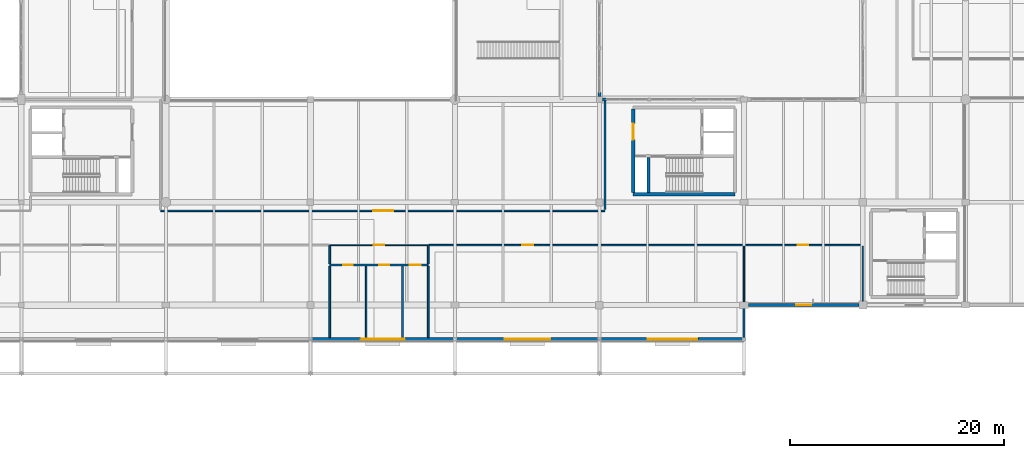
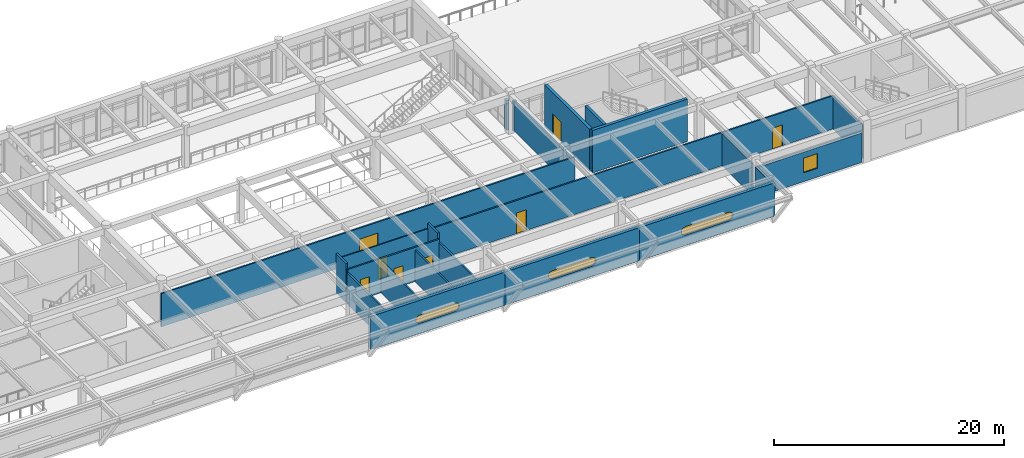
# One storey, part 90 of 109: 23 walls, 8 doors, 4 windows, 12 openings.
"""IFC4 building model written with IfcOpenShell, lengths in metres."""

from ifc_helpers import new_model, si_unit, direction, frame, frame_2d, origin, place, context, subcontext, project, spatial, polyline, rectangle, outline, extrude, material, layer, layer_set, type_object, element, fill, save


model = new_model("IFC4")

# Units and contexts
model_context = context("Model", 3, precision=1e-05, world=origin(), true_north=direction((0.0, 1.0)))
body_context = subcontext(model_context, "Body", "Model", "MODEL_VIEW")
ifc_project = project(units=[si_unit("LENGTHUNIT", "METRE"), si_unit("AREAUNIT", "SQUARE_METRE"), si_unit("VOLUMEUNIT", "CUBIC_METRE"), si_unit("PLANEANGLEUNIT", "RADIAN"), si_unit("MASSUNIT", "GRAM", prefix="KILO")], contexts=[model_context])

# Site, building, storey
site_placement = place(None, origin())
site = spatial("IfcSite", under=ifc_project, at=site_placement, CompositionType="ELEMENT")
building_placement = place(site_placement, origin())
building = spatial("IfcBuilding", under=site, at=building_placement, Name="Fikremerkos Civic Library", CompositionType="ELEMENT")
storey_placement = place(building_placement, frame((0.0, 0.0, 5.39990234375)))
storey = spatial("IfcBuildingStorey", under=building, at=storey_placement, Name="L01", CompositionType="ELEMENT", Elevation=5.39990234375)

# Wall
ifc_material_1 = material(Name="Concrete C40/50", Category="concrete")
ifc_layer_1 = layer(ifc_material_1, 0.300048828125, Name="Concrete C40/50")
ifc_layer_set_1 = layer_set([ifc_layer_1], Name="Concrete C40/50")
wall_type_1 = type_object("IfcWallType", Name="Core shear wall CSW-01 300", PredefinedType="SHEAR", material=ifc_layer_set_1)
wall_1_placement = place(storey_placement, frame((112.85009765625, 22.35009765625, 0.0), z_axis=(0.0, 0.0, 1.0), x_axis=(-1.0, 0.0, 0.0)))
element("IfcWall", 1, at=wall_1_placement, inside=storey, type_object=wall_type_1, Name="Core K2 south shear wall L01", PredefinedType="SHEAR", context=body_context, shape_type="SweptSolid", body=[
    extrude(rectangle(XDim=9.5, YDim=0.300048828125, at=frame_2d((4.75, 0.0))), origin(), (0.0, 0.0, 1.0), 4.5),
])

# Wall, opening, door
wall_2_placement = place(storey_placement, frame((103.35009765625, 22.501953125, 0.0), z_axis=(0.0, 0.0, 1.0), x_axis=(0.0, 1.0, 0.0)))
wall_2 = element("IfcWall", 2, at=wall_2_placement, inside=storey, type_object=wall_type_1, Name="Core K2 west shear wall L01", PredefinedType="SHEAR", context=body_context, shape_type="SweptSolid", body=[
    extrude(rectangle(XDim=7.796142578125, YDim=0.300048828125, at=frame_2d((3.89794921875, 0.0))), origin(), (0.0, 0.0, 1.0), 4.5),
])
opening_1_placement = place(wall_2_placement, frame((4.947998046875, 0.0, 0.0)))
opening_1 = element("IfcOpeningElement", 3, at=opening_1_placement, cuts=wall_2, Name="Opening D062", PredefinedType="OPENING", context=body_context, shape_type="SweptSolid", body=[
    extrude(rectangle(XDim=1.5, YDim=2.25, at=frame_2d((0.75, 1.125))), frame((0.0, 0.159912109375, 0.0), z_axis=(0.0, -1.0, 0.0), x_axis=(1.0, 0.0, 0.0)), (0.0, 0.0, 1.0), 0.320068359375),
])
ifc_material_2 = material(Name="Hardwood timber and acoustic glass", Category="wood")
door_type_1 = type_object("IfcDoorType", Name="Pedestrian door DT-05 1500x2250", OperationType="NOTDEFINED", PredefinedType="DOOR", material=ifc_material_2)
door_1_placement = place(opening_1_placement, origin())
door_1 = element("IfcDoor", 4, at=door_1_placement, inside=storey, type_object=door_type_1, Name="Core K2 lobby fire door D062 L01", OperationType="SINGLE_SWING_RIGHT", OverallHeight=2.25, OverallWidth=1.5, PredefinedType="DOOR", context=body_context, shape_type="SweptSolid", body=[
    extrude(rectangle(XDim=1.5, YDim=2.25, at=frame_2d((0.75, 1.125))), frame((0.0, 0.032470703125, 0.0), z_axis=(0.0, -1.0, 0.0), x_axis=(1.0, 0.0, 0.0)), (0.0, 0.0, 1.0), 0.06494140625),
])
fill(opening_1, door_1)

# Wall
ifc_layer_2 = layer(ifc_material_1, 0.260009765625, Name="Concrete C40/50")
ifc_layer_set_2 = layer_set([ifc_layer_2], Name="Concrete C40/50")
wall_type_2 = type_object("IfcWallType", Name="Core shear wall CSW-02 260", PredefinedType="SHEAR", material=ifc_layer_set_2)
wall_3_placement = place(storey_placement, frame((104.77001953125, 22.501953125, 0.0), z_axis=(0.0, 0.0, 1.0), x_axis=(0.0, 1.0, 0.0)))
element("IfcWall", 5, at=wall_3_placement, inside=storey, type_object=wall_type_2, Name="Core K2 stair-riser shear wall L01", PredefinedType="SHEAR", context=body_context, shape_type="SweptSolid", body=[
    extrude(rectangle(XDim=3.296142578125, YDim=0.260009765625, at=frame_2d((1.64794921875, 0.0))), origin(), (0.0, 0.0, 1.0), 4.5),
])

# Wall, opening, window
ifc_material_3 = material(Name="Precast concrete C40/50", Category="concrete")
ifc_layer_3 = layer(ifc_material_3, 0.320068359375, Name="Precast concrete C40/50")
ifc_layer_set_3 = layer_set([ifc_layer_3], Name="Precast concrete C40/50")
wall_type_3 = type_object("IfcWallType", Name="Exterior solid wall ESW-02 320", PredefinedType="SOLIDWALL", material=ifc_layer_set_3)
wall_4_placement = place(storey_placement, frame((113.81005859375, 8.800048828125, 0.0), z_axis=(0.0, 0.0, 1.0), x_axis=(-1.0, 0.0, 0.0)))
wall_4 = element("IfcWall", 6, at=wall_4_placement, inside=storey, type_object=wall_type_3, Name="Cantilever concrete band wall ESW-02 L01 #406", PredefinedType="SOLIDWALL", context=body_context, shape_type="SweptSolid", body=[
    extrude(rectangle(XDim=13.608154296875, YDim=0.320068359375, at=frame_2d((6.80419921875, 0.0))), origin(), (0.0, 0.0, 1.0), 3.52001953125),
])
opening_2_placement = place(wall_4_placement, frame((4.2041015625, 0.0, 1.10009765625)))
opening_2 = element("IfcOpeningElement", 7, at=opening_2_placement, cuts=wall_4, Name="Opening SW-01", PredefinedType="OPENING", context=body_context, shape_type="SweptSolid", body=[
    extrude(outline(polyline([(0.449951171875, 0.89990234375), (0.296142578125, 0.872802734375), (0.16064453125, 0.794677734375), (0.060302734375, 0.675048828125), (0.0068359375, 0.528076171875), (0.0068359375, 0.371826171875), (0.060302734375, 0.22509765625), (0.16064453125, 0.105224609375), (0.296142578125, 0.027099609375), (0.449951171875, 0.0), (4.75, 0.0), (4.90380859375, 0.027099609375), (5.039306640625, 0.105224609375), (5.1396484375, 0.22509765625), (5.193115234375, 0.371826171875), (5.193115234375, 0.528076171875), (5.1396484375, 0.6748046875), (5.039306640625, 0.794677734375), (4.90380859375, 0.872802734375), (4.75, 0.89990234375), (0.449951171875, 0.89990234375)])), frame((0.0, 0.169921875, 0.0), z_axis=(0.0, -1.0, 0.0), x_axis=(1.0, 0.0, 0.0)), (0.0, 0.0, 1.0), 0.340087890625),
])
ifc_material_4 = material(Name="Solar control double glazing", Category="glass")
window_type_1 = type_object("IfcWindowType", Name="Facade slot window SW-01 5200x900", PartitioningType="SINGLE_PANEL", PredefinedType="WINDOW", material=ifc_material_4)
window_1_placement = place(opening_2_placement, origin())
window_1 = element("IfcWindow", 8, at=window_1_placement, inside=storey, type_object=window_type_1, Name="Rounded-end facade slot window SW-01 L01 #1", OverallHeight=0.89990234375, OverallWidth=5.199951171875, PartitioningType="SINGLE_PANEL", PredefinedType="WINDOW", context=body_context, shape_type="SweptSolid", body=[
    extrude(outline(polyline([(0.449951171875, 0.89990234375), (0.296142578125, 0.872802734375), (0.16064453125, 0.794677734375), (0.060302734375, 0.675048828125), (0.0068359375, 0.528076171875), (0.0068359375, 0.371826171875), (0.060302734375, 0.22509765625), (0.16064453125, 0.105224609375), (0.296142578125, 0.027099609375), (0.449951171875, 0.0), (4.75, 0.0), (4.90380859375, 0.027099609375), (5.039306640625, 0.105224609375), (5.1396484375, 0.22509765625), (5.193115234375, 0.371826171875), (5.193115234375, 0.528076171875), (5.1396484375, 0.6748046875), (5.039306640625, 0.794677734375), (4.90380859375, 0.872802734375), (4.75, 0.89990234375), (0.449951171875, 0.89990234375)])), frame((0.0, 0.032470703125, 0.0), z_axis=(0.0, -1.0, 0.0), x_axis=(1.0, 0.0, 0.0)), (0.0, 0.0, 1.0), 0.06494140625),
])
fill(opening_2, window_1)

wall_5_placement = place(storey_placement, frame((100.197998046875, 8.800048828125, 0.0), z_axis=(0.0, 0.0, 1.0), x_axis=(-1.0, 0.0, 0.0)))
wall_5 = element("IfcWall", 9, at=wall_5_placement, inside=storey, type_object=wall_type_3, Name="Cantilever concrete band wall ESW-02 L01 #407", PredefinedType="SOLIDWALL", context=body_context, shape_type="SweptSolid", body=[
    extrude(rectangle(XDim=13.49609375, YDim=0.320068359375, at=frame_2d((6.748046875, 0.0))), origin(), (0.0, 0.0, 1.0), 3.52001953125),
])
opening_3_placement = place(wall_5_placement, frame((4.347900390625, 0.0, 1.10009765625)))
opening_3 = element("IfcOpeningElement", 10, at=opening_3_placement, cuts=wall_5, Name="Opening SW-02", PredefinedType="OPENING", context=body_context, shape_type="SweptSolid", body=[
    extrude(outline(polyline([(0.449951171875, 0.89990234375), (0.296142578125, 0.872802734375), (0.16064453125, 0.794677734375), (0.060302734375, 0.675048828125), (0.0068359375, 0.528076171875), (0.0068359375, 0.371826171875), (0.060302734375, 0.22509765625), (0.16064453125, 0.105224609375), (0.296142578125, 0.027099609375), (0.449951171875, 0.0), (4.35009765625, 0.0), (4.50390625, 0.027099609375), (4.639404296875, 0.105224609375), (4.73974609375, 0.22509765625), (4.793212890625, 0.371826171875), (4.793212890625, 0.528076171875), (4.73974609375, 0.6748046875), (4.639404296875, 0.794677734375), (4.50390625, 0.872802734375), (4.35009765625, 0.89990234375), (0.449951171875, 0.89990234375)])), frame((0.0, 0.169921875, 0.0), z_axis=(0.0, -1.0, 0.0), x_axis=(1.0, 0.0, 0.0)), (0.0, 0.0, 1.0), 0.340087890625),
])
window_type_2 = type_object("IfcWindowType", Name="Facade slot window SW-02 4800x900", PartitioningType="SINGLE_PANEL", PredefinedType="WINDOW", material=ifc_material_4)
window_2_placement = place(opening_3_placement, origin())
window_2 = element("IfcWindow", 11, at=window_2_placement, inside=storey, type_object=window_type_2, Name="Rounded-end facade slot window SW-02 L01 #2", OverallHeight=0.89990234375, OverallWidth=4.800048828125, PartitioningType="SINGLE_PANEL", PredefinedType="WINDOW", context=body_context, shape_type="SweptSolid", body=[
    extrude(outline(polyline([(0.449951171875, 0.89990234375), (0.296142578125, 0.872802734375), (0.16064453125, 0.794677734375), (0.060302734375, 0.675048828125), (0.0068359375, 0.528076171875), (0.0068359375, 0.371826171875), (0.060302734375, 0.22509765625), (0.16064453125, 0.105224609375), (0.296142578125, 0.027099609375), (0.449951171875, 0.0), (4.35009765625, 0.0), (4.50390625, 0.027099609375), (4.639404296875, 0.105224609375), (4.73974609375, 0.22509765625), (4.793212890625, 0.371826171875), (4.793212890625, 0.528076171875), (4.73974609375, 0.6748046875), (4.639404296875, 0.794677734375), (4.50390625, 0.872802734375), (4.35009765625, 0.89990234375), (0.449951171875, 0.89990234375)])), frame((0.0, 0.032470703125, 0.0), z_axis=(0.0, -1.0, 0.0), x_axis=(1.0, 0.0, 0.0)), (0.0, 0.0, 1.0), 0.06494140625),
])
fill(opening_3, window_2)

wall_6_placement = place(storey_placement, frame((86.697998046875, 8.800048828125, 0.0), z_axis=(0.0, 0.0, 1.0), x_axis=(-1.0, 0.0, 0.0)))
wall_6 = element("IfcWall", 12, at=wall_6_placement, inside=storey, type_object=wall_type_3, Name="Cantilever concrete band wall ESW-02 L01 #408", PredefinedType="SOLIDWALL", context=body_context, shape_type="SweptSolid", body=[
    extrude(rectangle(XDim=13.49609375, YDim=0.320068359375, at=frame_2d((6.748046875, 0.0))), origin(), (0.0, 0.0, 1.0), 3.52001953125),
])
opening_4_placement = place(wall_6_placement, frame((4.548095703125, 0.0, 1.10009765625)))
opening_4 = element("IfcOpeningElement", 13, at=opening_4_placement, cuts=wall_6, Name="Opening SW-03", PredefinedType="OPENING", context=body_context, shape_type="SweptSolid", body=[
    extrude(outline(polyline([(0.425048828125, 0.85009765625), (0.27978515625, 0.824462890625), (0.15185546875, 0.750732421875), (0.056884765625, 0.6376953125), (0.00634765625, 0.498779296875), (0.00634765625, 0.351318359375), (0.056884765625, 0.212646484375), (0.15185546875, 0.099365234375), (0.27978515625, 0.025634765625), (0.425048828125, 0.0), (3.974853515625, 0.0), (4.1201171875, 0.025634765625), (4.248046875, 0.099365234375), (4.343017578125, 0.21240234375), (4.3935546875, 0.351318359375), (4.3935546875, 0.498779296875), (4.343017578125, 0.637451171875), (4.248046875, 0.750732421875), (4.1201171875, 0.824462890625), (3.974853515625, 0.85009765625), (0.425048828125, 0.85009765625)])), frame((0.0, 0.169921875, 0.0), z_axis=(0.0, -1.0, 0.0), x_axis=(1.0, 0.0, 0.0)), (0.0, 0.0, 1.0), 0.340087890625),
])
window_type_3 = type_object("IfcWindowType", Name="Facade slot window SW-03 4400x850", PartitioningType="SINGLE_PANEL", PredefinedType="WINDOW", material=ifc_material_4)
window_3_placement = place(opening_4_placement, origin())
window_3 = element("IfcWindow", 14, at=window_3_placement, inside=storey, type_object=window_type_3, Name="Rounded-end facade slot window SW-03 L01 #3", OverallHeight=0.85009765625, OverallWidth=4.39990234375, PartitioningType="SINGLE_PANEL", PredefinedType="WINDOW", context=body_context, shape_type="SweptSolid", body=[
    extrude(outline(polyline([(0.425048828125, 0.85009765625), (0.27978515625, 0.824462890625), (0.15185546875, 0.750732421875), (0.056884765625, 0.6376953125), (0.00634765625, 0.498779296875), (0.00634765625, 0.351318359375), (0.056884765625, 0.212646484375), (0.15185546875, 0.099365234375), (0.27978515625, 0.025634765625), (0.425048828125, 0.0), (3.974853515625, 0.0), (4.1201171875, 0.025634765625), (4.248046875, 0.099365234375), (4.343017578125, 0.21240234375), (4.3935546875, 0.351318359375), (4.3935546875, 0.498779296875), (4.343017578125, 0.637451171875), (4.248046875, 0.750732421875), (4.1201171875, 0.824462890625), (3.974853515625, 0.85009765625), (0.425048828125, 0.85009765625)])), frame((0.0, 0.032470703125, 0.0), z_axis=(0.0, -1.0, 0.0), x_axis=(1.0, 0.0, 0.0)), (0.0, 0.0, 1.0), 0.06494140625),
])
fill(opening_4, window_3)

# Walls
ifc_layer_4 = layer(ifc_material_3, 0.25, Name="Precast concrete C40/50")
ifc_layer_set_4 = layer_set([ifc_layer_4], Name="Precast concrete C40/50")
wall_type_4 = type_object("IfcWallType", Name="Exterior solid wall ESW-05 250", PredefinedType="SOLIDWALL", material=ifc_layer_set_4)
for number, where, z_axis, x_axis, name in (
    (15, (100.199951171875, 31.847900390625, 0.0), (0.0, 0.0, 1.0), (0.0, -1.0, 0.0), "Exterior facade pier ESW-05 #373"),
    (16, (100.498046875, 31.199951171875, 0.0), (0.0, 0.0, 1.0), (1.0, 0.0, 0.0), "Exterior facade pier ESW-05 #375"),
):
    element("IfcWall", number, at=place(storey_placement, frame(where, z_axis=z_axis, x_axis=x_axis)), inside=storey, type_object=wall_type_4, Name=name, PredefinedType="SOLIDWALL", context=body_context, shape_type="SweptSolid", body=[
        extrude(rectangle(XDim=0.349853515625, YDim=0.25, at=frame_2d((0.1748046875, 0.0))), origin(), (0.0, 0.0, 1.0), 3.170166015625),
    ])

# Wall, opening, window
wall_7_placement = place(storey_placement, frame((124.427001953125, 12.0, 0.0), z_axis=(0.0, 0.0, 1.0), x_axis=(-1.0, 0.0, 0.0)))
wall_7 = element("IfcWall", 17, at=wall_7_placement, inside=storey, type_object=wall_type_4, Name="Exterior solid wall ESW-05 L01 #404", PredefinedType="SOLIDWALL", context=body_context, shape_type="SweptSolid", body=[
    extrude(rectangle(XDim=10.3291015625, YDim=0.25, at=frame_2d((5.16455078125, 0.0))), origin(), (0.0, 0.0, 1.0), 3.130126953125),
])
opening_5_placement = place(wall_7_placement, frame((4.464599609375, 0.0, 0.949951171875)))
opening_5 = element("IfcOpeningElement", 18, at=opening_5_placement, cuts=wall_7, Name="Opening CWND-06", PredefinedType="OPENING", context=body_context, shape_type="SweptSolid", body=[
    extrude(rectangle(XDim=1.39990234375, YDim=1.550048828125, at=frame_2d((0.699951171875, 0.77490234375))), frame((0.0, 0.135009765625, 0.0), z_axis=(0.0, -1.0, 0.0), x_axis=(1.0, 0.0, 0.0)), (0.0, 0.0, 1.0), 0.27001953125),
])
window_type_4 = type_object("IfcWindowType", Name="Courtyard window CWND-06 1400x1550", PartitioningType="SINGLE_PANEL", PredefinedType="WINDOW", material=ifc_material_4)
window_4_placement = place(opening_5_placement, origin())
window_4 = element("IfcWindow", 19, at=window_4_placement, inside=storey, type_object=window_type_4, Name="Courtyard window CWND-06 L01 #22", OverallHeight=1.550048828125, OverallWidth=1.39990234375, PartitioningType="SINGLE_PANEL", PredefinedType="WINDOW", context=body_context, shape_type="SweptSolid", body=[
    extrude(rectangle(XDim=1.39990234375, YDim=1.550048828125, at=frame_2d((0.699951171875, 0.77490234375))), frame((0.0, 0.032470703125, 0.0), z_axis=(0.0, -1.0, 0.0), x_axis=(1.0, 0.0, 0.0)), (0.0, 0.0, 1.0), 0.06494140625),
])
fill(opening_5, window_4)

# Walls
ifc_layer_5 = layer(ifc_material_3, 0.219970703125, Name="Precast concrete C40/50")
ifc_layer_set_5 = layer_set([ifc_layer_5], Name="Precast concrete C40/50")
wall_type_5 = type_object("IfcWallType", Name="Exterior solid wall ESW-06 220", PredefinedType="SOLIDWALL", material=ifc_layer_set_5)
wall_8_placement = place(storey_placement, frame((113.699951171875, 11.701904296875, 0.0), z_axis=(0.0, 0.0, 1.0), x_axis=(0.0, -1.0, 0.0)))
element("IfcWall", 20, at=wall_8_placement, inside=storey, type_object=wall_type_5, Name="Exterior solid wall ESW-06 L01 #405", PredefinedType="SOLIDWALL", context=body_context, shape_type="SweptSolid", body=[
    extrude(rectangle(XDim=2.721923828125, YDim=0.219970703125, at=frame_2d((1.36083984375, 0.0))), origin(), (0.0, 0.0, 1.0), 3.420166015625),
])
ifc_material_5 = material(Name="Acoustic concrete blockwork", Category="masonry")
ifc_layer_6 = layer(ifc_material_5, 0.18994140625, Name="Acoustic concrete blockwork")
ifc_layer_set_6 = layer_set([ifc_layer_6], Name="Acoustic concrete blockwork")
wall_type_6 = type_object("IfcWallType", Name="Interior partition wall IPW-01 190", PredefinedType="PARTITIONING", material=ifc_layer_set_6)
wall_9_placement = place(storey_placement, frame((100.699951171875, 20.905029296875, 0.0), z_axis=(0.0, 0.0, 1.0), x_axis=(0.0, 1.0, 0.0)))
element("IfcWall", 21, at=wall_9_placement, inside=storey, type_object=wall_type_6, Name="Interior wall IPW-01 L01 #172", PredefinedType="PARTITIONING", context=body_context, shape_type="SweptSolid", body=[
    extrude(rectangle(XDim=10.166015625, YDim=0.18994140625, at=frame_2d((5.0830078125, 0.0))), origin(), (0.0, 0.0, 1.0), 3.170166015625),
])

# Wall, opening, door
ifc_material_6 = material(Name="Acoustic gypsum stud partition")
ifc_layer_7 = layer(ifc_material_6, 0.14990234375, Name="Acoustic gypsum stud partition")
ifc_layer_set_7 = layer_set([ifc_layer_7], Name="Acoustic gypsum stud partition")
wall_type_7 = type_object("IfcWallType", Name="Interior partition wall IPW-02 150", PredefinedType="PARTITIONING", material=ifc_layer_set_7)
wall_10_placement = place(storey_placement, frame((59.199951171875, 20.800048828125, 0.0), z_axis=(0.0, 0.0, 1.0), x_axis=(1.0, 0.0, 0.0)))
wall_10 = element("IfcWall", 22, at=wall_10_placement, inside=storey, type_object=wall_type_7, Name="Interior wall IPW-02 L01 #157", PredefinedType="PARTITIONING", context=body_context, shape_type="SweptSolid", body=[
    extrude(rectangle(XDim=41.5, YDim=0.14990234375, at=frame_2d((20.75, 0.0))), origin(), (0.0, 0.0, 1.0), 3.52001953125),
])
opening_6_placement = place(wall_10_placement, frame((19.875, 0.0, 0.0)))
opening_6 = element("IfcOpeningElement", 23, at=opening_6_placement, cuts=wall_10, Name="Opening D204", PredefinedType="OPENING", context=body_context, shape_type="SweptSolid", body=[
    extrude(rectangle(XDim=1.85009765625, YDim=2.35009765625, at=frame_2d((0.925048828125, 1.175048828125))), frame((0.0, 0.0849609375, 0.0), z_axis=(0.0, -1.0, 0.0), x_axis=(1.0, 0.0, 0.0)), (0.0, 0.0, 1.0), 0.169921875),
])
door_type_2 = type_object("IfcDoorType", Name="Pedestrian door DT-09 1850x2350", OperationType="NOTDEFINED", PredefinedType="DOOR", material=ifc_material_2)
door_2_placement = place(opening_6_placement, origin())
door_2 = element("IfcDoor", 24, at=door_2_placement, inside=storey, type_object=door_type_2, Name="Interior door D204 L01", OperationType="SINGLE_SWING_LEFT", OverallHeight=2.35009765625, OverallWidth=1.85009765625, PredefinedType="DOOR", context=body_context, shape_type="SweptSolid", body=[
    extrude(rectangle(XDim=1.85009765625, YDim=2.35009765625, at=frame_2d((0.925048828125, 1.175048828125))), frame((0.0, 0.032470703125, 0.0), z_axis=(0.0, -1.0, 0.0), x_axis=(1.0, 0.0, 0.0)), (0.0, 0.0, 1.0), 0.06494140625),
])
fill(opening_6, door_2)

# Wall, openings, doors
wall_11_placement = place(storey_placement, frame((84.25, 17.60009765625, 0.0), z_axis=(0.0, 0.0, 1.0), x_axis=(1.0, 0.0, 0.0)))
wall_11 = element("IfcWall", 25, at=wall_11_placement, inside=storey, type_object=wall_type_7, Name="Interior wall IPW-02 L01 #161", PredefinedType="PARTITIONING", context=body_context, shape_type="SweptSolid", body=[
    extrude(rectangle(XDim=40.550048828125, YDim=0.14990234375, at=frame_2d((20.27490234375, 0.0))), origin(), (0.0, 0.0, 1.0), 3.52001953125),
])
opening_7_placement = place(wall_11_placement, frame((8.75, 0.0, 0.0)))
opening_7 = element("IfcOpeningElement", 26, at=opening_7_placement, cuts=wall_11, Name="Opening D203", PredefinedType="OPENING", context=body_context, shape_type="SweptSolid", body=[
    extrude(rectangle(XDim=1.0, YDim=2.199951171875, at=frame_2d((0.5, 1.10009765625))), frame((0.0, 0.0849609375, 0.0), z_axis=(0.0, -1.0, 0.0), x_axis=(1.0, 0.0, 0.0)), (0.0, 0.0, 1.0), 0.169921875),
])
opening_8_placement = place(wall_11_placement, frame((34.449951171875, 0.0, 0.0)))
opening_8 = element("IfcOpeningElement", 27, at=opening_8_placement, cuts=wall_11, Name="Opening D208", PredefinedType="OPENING", context=body_context, shape_type="SweptSolid", body=[
    extrude(rectangle(XDim=1.0, YDim=2.199951171875, at=frame_2d((0.5, 1.10009765625))), frame((0.0, 0.0849609375, 0.0), z_axis=(0.0, -1.0, 0.0), x_axis=(1.0, 0.0, 0.0)), (0.0, 0.0, 1.0), 0.169921875),
])
door_type_3 = type_object("IfcDoorType", Name="Pedestrian door DT-01 1000x2200", OperationType="NOTDEFINED", PredefinedType="DOOR", material=ifc_material_2)
door_3_placement = place(opening_7_placement, origin())
door_3 = element("IfcDoor", 28, at=door_3_placement, inside=storey, type_object=door_type_3, Name="Interior door D203 L01", OperationType="SINGLE_SWING_RIGHT", OverallHeight=2.199951171875, OverallWidth=1.0, PredefinedType="DOOR", context=body_context, shape_type="SweptSolid", body=[
    extrude(rectangle(XDim=1.0, YDim=2.199951171875, at=frame_2d((0.5, 1.10009765625))), frame((0.0, 0.032470703125, 0.0), z_axis=(0.0, -1.0, 0.0), x_axis=(1.0, 0.0, 0.0)), (0.0, 0.0, 1.0), 0.06494140625),
])
fill(opening_7, door_3)
door_4_placement = place(opening_8_placement, origin())
door_4 = element("IfcDoor", 29, at=door_4_placement, inside=storey, type_object=door_type_3, Name="Interior door D208 L01", OperationType="SINGLE_SWING_LEFT", OverallHeight=2.199951171875, OverallWidth=1.0, PredefinedType="DOOR", context=body_context, shape_type="SweptSolid", body=[
    extrude(rectangle(XDim=1.0, YDim=2.199951171875, at=frame_2d((0.5, 1.10009765625))), frame((0.0, 0.032470703125, 0.0), z_axis=(0.0, -1.0, 0.0), x_axis=(1.0, 0.0, 0.0)), (0.0, 0.0, 1.0), 0.06494140625),
])
fill(opening_8, door_4)

# Wall
ifc_material_7 = material(Name="Gypsum metal stud partition")
ifc_layer_8 = layer(ifc_material_7, 0.1298828125, Name="Gypsum metal stud partition")
ifc_layer_set_8 = layer_set([ifc_layer_8], Name="Gypsum metal stud partition")
wall_type_8 = type_object("IfcWallType", Name="Interior partition wall IPW-03 130", PredefinedType="PARTITIONING", material=ifc_layer_set_8)
wall_12_placement = place(storey_placement, frame((113.699951171875, 12.302978515625, 0.0), z_axis=(0.0, 0.0, 1.0), x_axis=(0.0, 1.0, 0.0)))
element("IfcWall", 30, at=wall_12_placement, inside=storey, type_object=wall_type_8, Name="Interior wall IPW-03 L01 #174", PredefinedType="PARTITIONING", context=body_context, shape_type="SweptSolid", body=[
    extrude(rectangle(XDim=5.192138671875, YDim=0.1298828125, at=frame_2d((2.59619140625, 0.0))), origin(), (0.0, 0.0, 1.0), 3.420166015625),
])

# Wall, opening, door
ifc_material_8 = material(Name="Lightweight metal stud partition")
ifc_layer_9 = layer(ifc_material_8, 0.110107421875, Name="Lightweight metal stud partition")
ifc_layer_set_9 = layer_set([ifc_layer_9], Name="Lightweight metal stud partition")
wall_type_9 = type_object("IfcWallType", Name="Interior partition wall IPW-04 110", PredefinedType="PARTITIONING", material=ifc_layer_set_9)
wall_13_placement = place(storey_placement, frame((75.050048828125, 17.60009765625, 0.0), z_axis=(0.0, 0.0, 1.0), x_axis=(1.0, 0.0, 0.0)))
wall_13 = element("IfcWall", 31, at=wall_13_placement, inside=storey, type_object=wall_type_9, Name="Interior wall IPW-04 L01 #159", PredefinedType="PARTITIONING", context=body_context, shape_type="SweptSolid", body=[
    extrude(rectangle(XDim=9.099853515625, YDim=0.110107421875, at=frame_2d((4.5498046875, 0.0))), origin(), (0.0, 0.0, 1.0), 3.6201171875),
])
opening_9_placement = place(wall_13_placement, frame((4.074951171875, 0.0, 0.0)))
opening_9 = element("IfcOpeningElement", 32, at=opening_9_placement, cuts=wall_13, Name="Opening D196", PredefinedType="OPENING", context=body_context, shape_type="SweptSolid", body=[
    extrude(rectangle(XDim=0.949951171875, YDim=2.14990234375, at=frame_2d((0.47509765625, 1.074951171875))), frame((0.0, 0.06494140625, 0.0), z_axis=(0.0, -1.0, 0.0), x_axis=(1.0, 0.0, 0.0)), (0.0, 0.0, 1.0), 0.130126953125),
])
door_type_4 = type_object("IfcDoorType", Name="Pedestrian door DT-02 950x2150", OperationType="NOTDEFINED", PredefinedType="DOOR", material=ifc_material_2)
door_5_placement = place(opening_9_placement, origin())
door_5 = element("IfcDoor", 33, at=door_5_placement, inside=storey, type_object=door_type_4, Name="Interior door D196 L01", OperationType="SINGLE_SWING_LEFT", OverallHeight=2.14990234375, OverallWidth=0.949951171875, PredefinedType="DOOR", context=body_context, shape_type="SweptSolid", body=[
    extrude(rectangle(XDim=0.949951171875, YDim=2.14990234375, at=frame_2d((0.47509765625, 1.074951171875))), frame((0.0, 0.032470703125, 0.0), z_axis=(0.0, -1.0, 0.0), x_axis=(1.0, 0.0, 0.0)), (0.0, 0.0, 1.0), 0.06494140625),
])
fill(opening_9, door_5)

# Wall
wall_14_placement = place(storey_placement, frame((124.800048828125, 12.3779296875, 0.0), z_axis=(0.0, 0.0, 1.0), x_axis=(0.0, 1.0, 0.0)))
element("IfcWall", 34, at=wall_14_placement, inside=storey, type_object=wall_type_9, Name="Interior wall IPW-04 L01 #175", PredefinedType="PARTITIONING", context=body_context, shape_type="SweptSolid", body=[
    extrude(rectangle(XDim=5.1171875, YDim=0.110107421875, at=frame_2d((2.55859375, 0.0))), origin(), (0.0, 0.0, 1.0), 3.56005859375),
])

# Wall, openings, doors
ifc_material_9 = material(Name="Aerated concrete blockwork", Category="masonry")
ifc_layer_10 = layer(ifc_material_9, 0.159912109375, Name="Aerated concrete blockwork")
ifc_layer_set_10 = layer_set([ifc_layer_10], Name="Aerated concrete blockwork")
wall_type_10 = type_object("IfcWallType", Name="Service duct wall SDW-02 160", PredefinedType="PLUMBINGWALL", material=ifc_layer_set_10)
wall_15_placement = place(storey_placement, frame((75.0, 15.75, 0.0), z_axis=(0.0, 0.0, 1.0), x_axis=(1.0, 0.0, 0.0)))
wall_15 = element("IfcWall", 35, at=wall_15_placement, inside=storey, type_object=wall_type_10, Name="Interior wall SDW-02 L01 #146", PredefinedType="PLUMBINGWALL", context=body_context, shape_type="SweptSolid", body=[
    extrude(rectangle(XDim=9.199951171875, YDim=0.159912109375, at=frame_2d((4.60009765625, 0.0))), origin(), (0.0, 0.0, 1.0), 3.6201171875),
])
opening_10_placement = place(wall_15_placement, frame((1.25, 0.0, 0.0)))
opening_10 = element("IfcOpeningElement", 36, at=opening_10_placement, cuts=wall_15, Name="Opening D197", PredefinedType="OPENING", context=body_context, shape_type="SweptSolid", body=[
    extrude(rectangle(XDim=0.89990234375, YDim=2.10009765625, at=frame_2d((0.449951171875, 1.050048828125))), frame((0.0, 0.08984375, 0.0), z_axis=(0.0, -1.0, 0.0), x_axis=(1.0, 0.0, 0.0)), (0.0, 0.0, 1.0), 0.179931640625),
])
opening_11_placement = place(wall_15_placement, frame((4.64990234375, 0.0, 0.0)))
opening_11 = element("IfcOpeningElement", 37, at=opening_11_placement, cuts=wall_15, Name="Opening D198", PredefinedType="OPENING", context=body_context, shape_type="SweptSolid", body=[
    extrude(rectangle(XDim=0.89990234375, YDim=2.10009765625, at=frame_2d((0.449951171875, 1.050048828125))), frame((0.0, 0.08984375, 0.0), z_axis=(0.0, -1.0, 0.0), x_axis=(1.0, 0.0, 0.0)), (0.0, 0.0, 1.0), 0.179931640625),
])
opening_12_placement = place(wall_15_placement, frame((7.47509765625, 0.0, 0.0)))
opening_12 = element("IfcOpeningElement", 38, at=opening_12_placement, cuts=wall_15, Name="Opening D199", PredefinedType="OPENING", context=body_context, shape_type="SweptSolid", body=[
    extrude(rectangle(XDim=1.050048828125, YDim=2.14990234375, at=frame_2d((0.52490234375, 1.074951171875))), frame((0.0, 0.08984375, 0.0), z_axis=(0.0, -1.0, 0.0), x_axis=(1.0, 0.0, 0.0)), (0.0, 0.0, 1.0), 0.179931640625),
])
door_type_5 = type_object("IfcDoorType", Name="Pedestrian door DT-03 900x2100", OperationType="NOTDEFINED", PredefinedType="DOOR", material=ifc_material_2)
door_6_placement = place(opening_10_placement, origin())
door_6 = element("IfcDoor", 39, at=door_6_placement, inside=storey, type_object=door_type_5, Name="Interior door D197 L01", OperationType="SINGLE_SWING_RIGHT", OverallHeight=2.10009765625, OverallWidth=0.89990234375, PredefinedType="DOOR", context=body_context, shape_type="SweptSolid", body=[
    extrude(rectangle(XDim=0.89990234375, YDim=2.10009765625, at=frame_2d((0.449951171875, 1.050048828125))), frame((0.0, 0.032470703125, 0.0), z_axis=(0.0, -1.0, 0.0), x_axis=(1.0, 0.0, 0.0)), (0.0, 0.0, 1.0), 0.06494140625),
])
fill(opening_10, door_6)
door_7_placement = place(opening_11_placement, origin())
door_7 = element("IfcDoor", 40, at=door_7_placement, inside=storey, type_object=door_type_5, Name="Interior door D198 L01", OperationType="SINGLE_SWING_LEFT", OverallHeight=2.10009765625, OverallWidth=0.89990234375, PredefinedType="DOOR", context=body_context, shape_type="SweptSolid", body=[
    extrude(rectangle(XDim=0.89990234375, YDim=2.10009765625, at=frame_2d((0.449951171875, 1.050048828125))), frame((0.0, 0.032470703125, 0.0), z_axis=(0.0, -1.0, 0.0), x_axis=(1.0, 0.0, 0.0)), (0.0, 0.0, 1.0), 0.06494140625),
])
fill(opening_11, door_7)
door_type_6 = type_object("IfcDoorType", Name="Pedestrian door DT-04 1050x2150", OperationType="NOTDEFINED", PredefinedType="DOOR", material=ifc_material_2)
door_8_placement = place(opening_12_placement, origin())
door_8 = element("IfcDoor", 41, at=door_8_placement, inside=storey, type_object=door_type_6, Name="Interior door D199 L01", OperationType="SINGLE_SWING_RIGHT", OverallHeight=2.14990234375, OverallWidth=1.050048828125, PredefinedType="DOOR", context=body_context, shape_type="SweptSolid", body=[
    extrude(rectangle(XDim=1.050048828125, YDim=2.14990234375, at=frame_2d((0.52490234375, 1.074951171875))), frame((0.0, 0.032470703125, 0.0), z_axis=(0.0, -1.0, 0.0), x_axis=(1.0, 0.0, 0.0)), (0.0, 0.0, 1.0), 0.06494140625),
])
fill(opening_12, door_8)

# Walls
wall_16_placement = place(storey_placement, frame((75.0, 8.962890625, 0.0), z_axis=(0.0, 0.0, 1.0), x_axis=(0.0, 1.0, 0.0)))
element("IfcWall", 42, at=wall_16_placement, inside=storey, type_object=wall_type_10, Name="Interior wall SDW-02 L01 #147", PredefinedType="PLUMBINGWALL", context=body_context, shape_type="SweptSolid", body=[
    extrude(rectangle(XDim=6.68212890625, YDim=0.159912109375, at=frame_2d((3.341064453125, 0.0))), origin(), (0.0, 0.0, 1.0), 3.320068359375),
])
wall_17_placement = place(storey_placement, frame((75.0, 15.85498046875, 0.0), z_axis=(0.0, 0.0, 1.0), x_axis=(0.0, 1.0, 0.0)))
element("IfcWall", 43, at=wall_17_placement, inside=storey, type_object=wall_type_10, Name="Interior wall SDW-02 L01 #148", PredefinedType="PLUMBINGWALL", context=body_context, shape_type="SweptSolid", body=[
    extrude(rectangle(XDim=1.7451171875, YDim=0.159912109375, at=frame_2d((0.87255859375, 0.0))), origin(), (0.0, 0.0, 1.0), 4.18017578125),
])
for number, where, z_axis, x_axis, name in (
    (44, (78.39990234375, 8.962890625, 0.0), (0.0, 0.0, 1.0), (0.0, 1.0, 0.0), "Interior wall SDW-02 L01 #149"),
    (45, (81.800048828125, 8.962890625, 0.0), (0.0, 0.0, 1.0), (0.0, 1.0, 0.0), "Interior wall SDW-02 L01 #150"),
    (46, (84.199951171875, 8.962890625, 0.0), (0.0, 0.0, 1.0), (0.0, 1.0, 0.0), "Interior wall SDW-02 L01 #151"),
):
    element("IfcWall", number, at=place(storey_placement, frame(where, z_axis=z_axis, x_axis=x_axis)), inside=storey, type_object=wall_type_10, Name=name, PredefinedType="PLUMBINGWALL", context=body_context, shape_type="SweptSolid", body=[
        extrude(rectangle(XDim=6.68212890625, YDim=0.159912109375, at=frame_2d((3.341064453125, 0.0))), origin(), (0.0, 0.0, 1.0), 3.320068359375),
    ])
wall_18_placement = place(storey_placement, frame((84.199951171875, 15.85498046875, 0.0), z_axis=(0.0, 0.0, 1.0), x_axis=(0.0, 1.0, 0.0)))
element("IfcWall", 47, at=wall_18_placement, inside=storey, type_object=wall_type_10, Name="Interior wall SDW-02 L01 #152", PredefinedType="PLUMBINGWALL", context=body_context, shape_type="SweptSolid", body=[
    extrude(rectangle(XDim=1.7451171875, YDim=0.159912109375, at=frame_2d((0.87255859375, 0.0))), origin(), (0.0, 0.0, 1.0), 4.18017578125),
])

save(model, "model.ifc")
